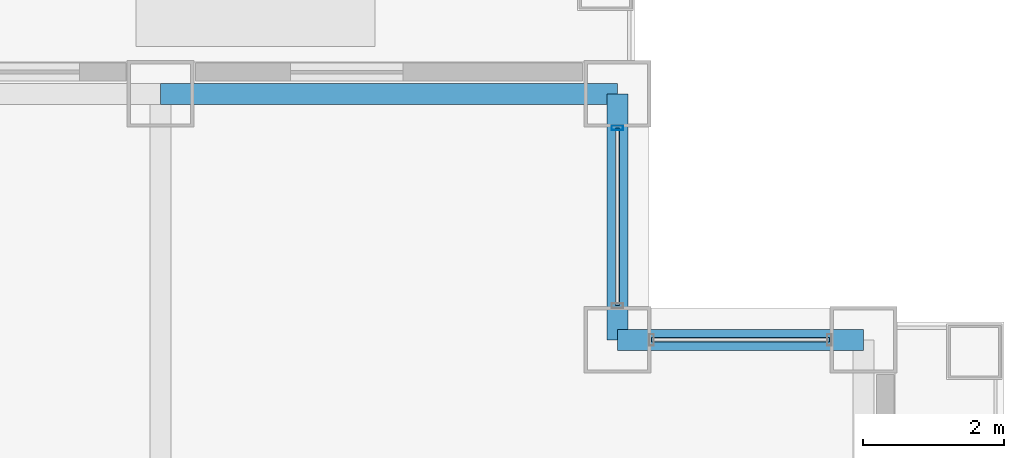
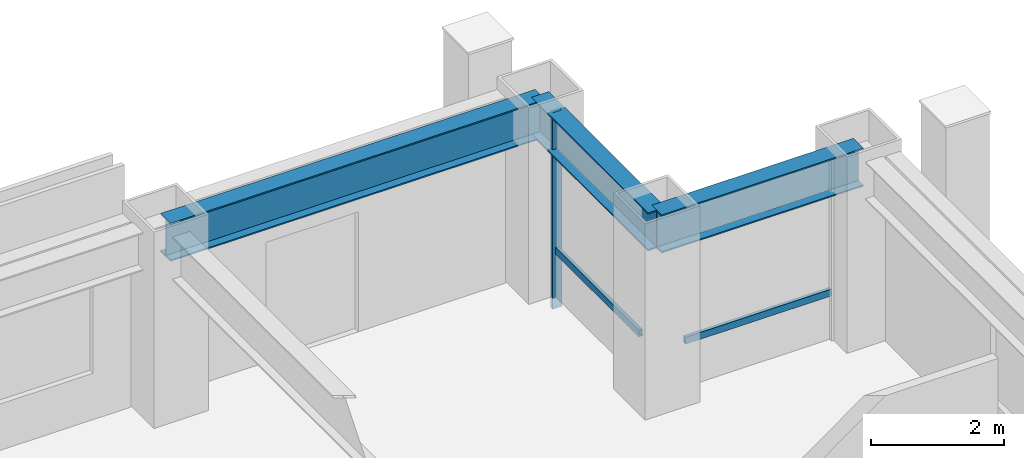
# One storey, part 22 of 31: 3 beams, 3 members, 2 elements without a shape of their own.
"""IFC4 building model written with IfcOpenShell, lengths in metres."""

from ifc_helpers import new_model, si_unit, direction, frame, origin, origin_2d, place, context, subcontext, project, spatial, hollow_rectangle, i_section, extrude, material, layer, layer_set, material_profile, profile_set, type_object, element, aggregate, save


model = new_model("IFC4")

# Units and contexts
model_context = context("Model", 3, precision=1e-05, world=origin(), true_north=direction((0.0, 1.0)))
body_context = subcontext(model_context, "Body", "Model", "MODEL_VIEW")
ifc_project = project(units=[si_unit("LENGTHUNIT", "METRE"), si_unit("AREAUNIT", "SQUARE_METRE"), si_unit("VOLUMEUNIT", "CUBIC_METRE"), si_unit("PLANEANGLEUNIT", "RADIAN"), si_unit("MASSUNIT", "GRAM", prefix="KILO")], contexts=[model_context])

# Site, building, storey
site_placement = place(None, origin())
site = spatial("IfcSite", under=ifc_project, at=site_placement, CompositionType="ELEMENT")
building_placement = place(site_placement, origin())
building = spatial("IfcBuilding", under=site, at=building_placement, Name="Brelmoor Portico Tower", CompositionType="ELEMENT")
storey_placement = place(building_placement, frame((0.0, 0.0, 31.199951171875)))
storey = spatial("IfcBuildingStorey", under=building, at=storey_placement, Name="L07", CompositionType="ELEMENT", Elevation=31.199951171875)

# Beams
ifc_material_1 = material(Name="Steel Q355B", Category="steel")
ifc_material_profile_1 = material_profile(ifc_material_1, i_section(OverallWidth=0.300048828125, OverallDepth=0.699951171875, WebThickness=0.012939453125, FlangeThickness=0.02392578125, at=origin_2d()), Name="HN 700x300x13x24")
ifc_profile_set_1 = profile_set([ifc_material_profile_1], Name="Steel Q355B")
beam_type = type_object("IfcBeamType", Name="BM-SP-700", PredefinedType="SPANDREL", material=ifc_profile_set_1)
beam_1_placement = place(storey_placement, frame((21.050048828125, 18.050048828125, 3.050048828125), z_axis=(1.0, 0.0, 0.0), x_axis=(0.0, 1.0, 0.0)))
element("IfcBeam", 1, at=beam_1_placement, inside=storey, type_object=beam_type, Name="L07 Perimeter Spandrel Beam SP-09", PredefinedType="SPANDREL", context=body_context, shape_type="SweptSolid", body=[
    extrude(i_section(OverallWidth=0.300048828125, OverallDepth=0.699951171875, WebThickness=0.012939453125, FlangeThickness=0.02392578125, at=origin_2d()), origin(), (0.0, 0.0, 1.0), 3.5),
])
beam_2_placement = place(storey_placement, frame((14.550048828125, 21.550048828125, 3.050048828125), z_axis=(1.0, 0.0, 0.0), x_axis=(0.0, 1.0, 0.0)))
element("IfcBeam", 2, at=beam_2_placement, inside=storey, type_object=beam_type, Name="L07 Perimeter Spandrel Beam SP-14", PredefinedType="SPANDREL", context=body_context, shape_type="SweptSolid", body=[
    extrude(i_section(OverallWidth=0.300048828125, OverallDepth=0.699951171875, WebThickness=0.012939453125, FlangeThickness=0.02392578125, at=origin_2d()), origin(), (0.0, 0.0, 1.0), 6.5),
])
beam_3_placement = place(storey_placement, frame((21.050048828125, 18.050048828125, 3.050048828125), z_axis=(0.0, 1.0, 0.0), x_axis=(-1.0, 0.0, 0.0)))
element("IfcBeam", 3, at=beam_3_placement, inside=storey, type_object=beam_type, Name="L07 Perimeter Spandrel Beam SP-21", PredefinedType="SPANDREL", context=body_context, shape_type="SweptSolid", body=[
    extrude(i_section(OverallWidth=0.300048828125, OverallDepth=0.699951171875, WebThickness=0.012939453125, FlangeThickness=0.02392578125, at=origin_2d()), origin(), (0.0, 0.0, 1.0), 3.5),
])

# Curtain wall, member
ifc_material_2 = material(Name="Anodised Aluminium Alloy 6063-T6", Category="aluminium")
ifc_layer = layer(ifc_material_2, 0.179931640625)
ifc_layer_set = layer_set([ifc_layer], Name="Anodised Aluminium Alloy 6063-T6")
curtain_wall_type = type_object("IfcCurtainWallType", Name="CW-NOTCH-CHAMFER", PredefinedType="NOTDEFINED", material=ifc_layer_set)
curtain_wall_1_placement = place(storey_placement, origin())
curtain_wall_1 = element("IfcCurtainWall", 4, at=curtain_wall_1_placement, inside=storey, type_object=curtain_wall_type, Name="L07 Curtain Wall CWN-L07-NEV", PredefinedType="NOTDEFINED")
ifc_material_profile_2 = material_profile(ifc_material_2, hollow_rectangle(XDim=0.06494140625, YDim=0.1650390625, WallThickness=0.00390625, at=origin_2d()), Name="ALU MULLION 65x165")
ifc_profile_set_2 = profile_set([ifc_material_profile_2], Name="Anodised Aluminium Alloy 6063-T6")
member_type_1 = type_object("IfcMemberType", Name="MB-CW-MULL-165", PredefinedType="MULLION", material=ifc_profile_set_2)
member_1_placement = place(storey_placement, frame((21.050048828125, 21.06494140625, -0.199951171875), z_axis=(0.0, 0.0, 1.0), x_axis=(0.0, 1.0, 0.0)))
member_1 = element("IfcMember", 5, at=member_1_placement, type_object=member_type_1, Name="CWN-L07-NEV Mullion 01", PredefinedType="MULLION", context=body_context, shape_type="SweptSolid", body=[
    extrude(hollow_rectangle(XDim=0.06494140625, YDim=0.1650390625, WallThickness=0.00390625, at=origin_2d()), origin(), (0.0, 0.0, 1.0), 3.60009765625),
])

curtain_wall_2_placement = place(storey_placement, origin())
curtain_wall_2 = element("IfcCurtainWall", 6, at=curtain_wall_2_placement, inside=storey, type_object=curtain_wall_type, Name="L07 Curtain Wall CWN-L07-NEH", PredefinedType="NOTDEFINED")
ifc_material_profile_3 = material_profile(ifc_material_2, hollow_rectangle(XDim=0.06005859375, YDim=0.125, WallThickness=0.00341796875, at=origin_2d()), Name="ALU TRANSOM 60x125")
ifc_profile_set_3 = profile_set([ifc_material_profile_3], Name="Anodised Aluminium Alloy 6063-T6")
member_type_2 = type_object("IfcMemberType", Name="MB-CW-TRAN-125", PredefinedType="USERDEFINED", material=ifc_profile_set_3)
member_2_placement = place(storey_placement, frame((21.534912109375, 18.050048828125, 0.85009765625), z_axis=(1.0, 0.0, 0.0), x_axis=(0.0, 1.0, 0.0)))
member_2 = element("IfcMember", 7, at=member_2_placement, type_object=member_type_2, Name="CWN-L07-NEH Transom 1-00", ObjectType="TRANSOM", PredefinedType="USERDEFINED", context=body_context, shape_type="SweptSolid", body=[
    extrude(hollow_rectangle(XDim=0.06005859375, YDim=0.125, WallThickness=0.00341796875, at=origin_2d()), origin(), (0.0, 0.0, 1.0), 2.530029296875),
])
aggregate(curtain_wall_2, [member_2])

# Member
member_3_placement = place(storey_placement, frame((21.050048828125, 18.534912109375, 0.85009765625), z_axis=(0.0, 1.0, 0.0), x_axis=(-1.0, 0.0, 0.0)))
member_3 = element("IfcMember", 8, at=member_3_placement, type_object=member_type_2, Name="CWN-L07-NEV Transom 1-00", ObjectType="TRANSOM", PredefinedType="USERDEFINED", context=body_context, shape_type="SweptSolid", body=[
    extrude(hollow_rectangle(XDim=0.06005859375, YDim=0.125, WallThickness=0.00341796875, at=origin_2d()), origin(), (0.0, 0.0, 1.0), 2.530029296875),
])

aggregate(curtain_wall_1, [member_1, member_3])

save(model, "model.ifc")
